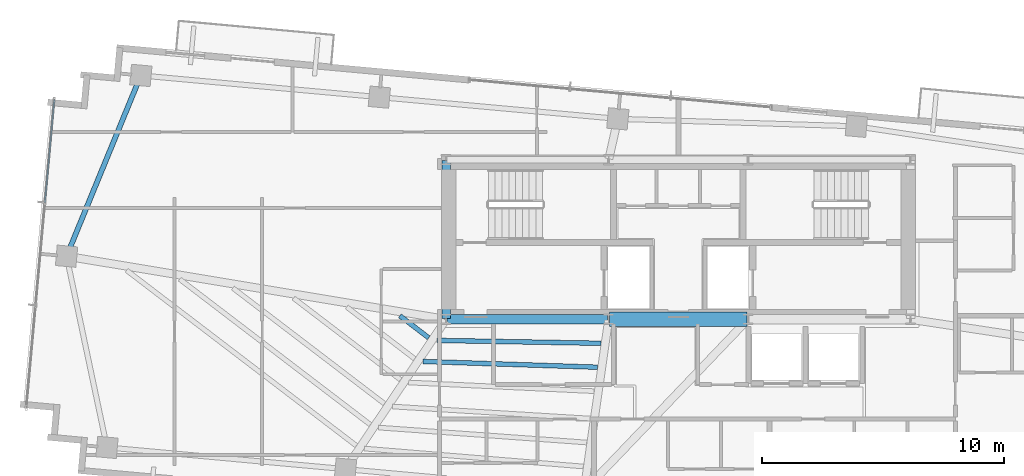
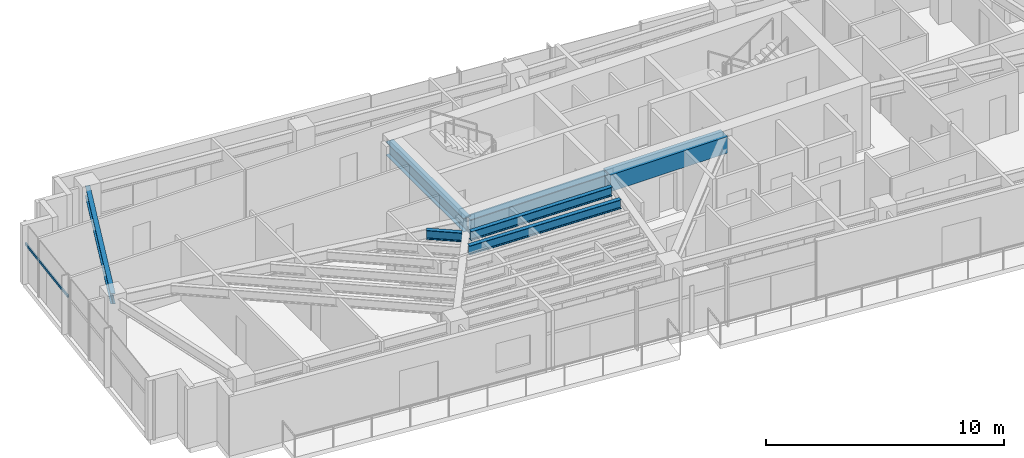
# One storey, part 8 of 22: 7 beams, 1 member, 1 element without a shape of its own.
"""IFC4 building model written with IfcOpenShell, lengths in metres."""

from ifc_helpers import new_model, si_unit, direction, frame, origin, origin_2d, place, context, subcontext, project, spatial, rectangle, hollow_rectangle, i_section, extrude, source, transform, mapped, material, material_profile, profile_set, type_object, type_shapes, element, aggregate, save


model = new_model("IFC4")

# Units and contexts
model_context = context("Model", 3, precision=1e-05, world=origin(), true_north=direction((0.0, 1.0)))
body_context = subcontext(model_context, "Body", "Model", "MODEL_VIEW")
ifc_project = project(units=[si_unit("LENGTHUNIT", "METRE"), si_unit("AREAUNIT", "SQUARE_METRE"), si_unit("VOLUMEUNIT", "CUBIC_METRE"), si_unit("PLANEANGLEUNIT", "RADIAN"), si_unit("MASSUNIT", "GRAM", prefix="KILO")], contexts=[model_context])

# Site, building, storey
site_placement = place(None, origin())
site = spatial("IfcSite", under=ifc_project, at=site_placement, CompositionType="ELEMENT")
building_placement = place(site_placement, origin())
building = spatial("IfcBuilding", under=site, at=building_placement, Name="Astriad Promenade Condominiums", CompositionType="ELEMENT")
storey_placement = place(building_placement, frame((0.0, 0.0, 233.10009765625)))
storey = spatial("IfcBuildingStorey", under=building, at=storey_placement, Name="L67", CompositionType="ELEMENT", Elevation=233.10009765625)

# Beams
ifc_material_1 = material(Name="Steel ASTM A992 Grade 50", Category="steel")
ifc_material_profile_1 = material_profile(ifc_material_1, i_section(OverallWidth=0.3837890625, OverallDepth=0.785888671875, WebThickness=0.019775390625, FlangeThickness=0.033447265625, FilletRadius=0.021484375, at=origin_2d()), Name="W30X211")
ifc_profile_set_1 = profile_set([ifc_material_profile_1], Name="Steel ASTM A992 Grade 50")
beam_type_1 = type_object("IfcBeamType", Name="STEEL FLOOR GIRDER W30X211", PredefinedType="BEAM", material=ifc_profile_set_1)
shared_shape_1 = source(origin(), body_context, "Body", "SweptSolid", [
    extrude(i_section(OverallWidth=0.3837890625, OverallDepth=0.785888671875, WebThickness=0.019775390625, FlangeThickness=0.033447265625, FilletRadius=0.021484375, at=origin_2d()), origin(), (0.0, 0.0, 1.0), 6.64013671875),
])
type_shapes(beam_type_1, [shared_shape_1])
beam_1_placement = place(storey_placement, frame((26.43994140625, 17.39990234375, 2.64697265625), z_axis=(1.0, 0.0, 0.0), x_axis=(0.0, 1.0, 0.0)))
element("IfcBeam", 1, at=beam_1_placement, inside=storey, type_object=beam_type_1, Name="Core Ring Beam CG-S1-L67", PredefinedType="BEAM", context=body_context, shape_type="MappedRepresentation", body=[
    mapped(shared_shape_1, transform((0.0, 0.0, 0.0), scale=1.0)),
])
ifc_material_profile_2 = material_profile(ifc_material_1, i_section(OverallWidth=0.35791015625, OverallDepth=0.706298828125, WebThickness=0.018310546875, FlangeThickness=0.0302734375, FilletRadius=0.020263671875, at=origin_2d()), Name="W27X178")
ifc_profile_set_2 = profile_set([ifc_material_profile_2], Name="Steel ASTM A992 Grade 50")
beam_type_2 = type_object("IfcBeamType", Name="STEEL FLOOR GIRDER W27X178", PredefinedType="BEAM", material=ifc_profile_set_2)
shared_shape_2 = source(origin(), body_context, "Body", "SweptSolid", [
    extrude(i_section(OverallWidth=0.35791015625, OverallDepth=0.706298828125, WebThickness=0.018310546875, FlangeThickness=0.0302734375, FilletRadius=0.020263671875, at=origin_2d()), origin(), (0.0, 0.0, 1.0), 6.52001953125),
])
type_shapes(beam_type_2, [shared_shape_2])
beam_2_placement = place(storey_placement, frame((26.39990234375, 17.43994140625, 2.686767578125), z_axis=(0.0, 1.0, 0.0), x_axis=(-1.0, 0.0, 0.0)))
element("IfcBeam", 2, at=beam_2_placement, inside=storey, type_object=beam_type_2, Name="Core Ring Beam CG-W1-L67", PredefinedType="BEAM", context=body_context, shape_type="MappedRepresentation", body=[
    mapped(shared_shape_2, transform((0.0, 0.0, 0.0), scale=1.0)),
])
ifc_material_2 = material(Name="Concrete C60/75", Category="concrete")
ifc_material_profile_3 = material_profile(ifc_material_2, rectangle(XDim=0.60009765625, YDim=0.85009765625, at=origin_2d()), Name="RC-BM-600X850")
ifc_profile_set_3 = profile_set([ifc_material_profile_3], Name="Concrete C60/75")
beam_type_3 = type_object("IfcBeamType", Name="CONCRETE CORE COUPLING LINTEL 600X850", PredefinedType="LINTEL", material=ifc_profile_set_3)
shared_shape_3 = source(origin(), body_context, "Body", "SweptSolid", [
    extrude(rectangle(XDim=0.60009765625, YDim=0.85009765625, at=origin_2d()), origin(), (0.0, 0.0, 1.0), 5.68017578125),
])
type_shapes(beam_type_3, [shared_shape_3])
beam_3_placement = place(storey_placement, frame((33.159912109375, 17.39990234375, 2.614990234375), z_axis=(1.0, 0.0, 0.0), x_axis=(0.0, 1.0, 0.0)))
element("IfcBeam", 3, at=beam_3_placement, inside=storey, type_object=beam_type_3, Name="Core Ring Beam CG-S2-L67", PredefinedType="LINTEL", context=body_context, shape_type="MappedRepresentation", body=[
    mapped(shared_shape_3, transform((0.0, 0.0, 0.0), scale=1.0)),
])
ifc_material_profile_4 = material_profile(ifc_material_1, i_section(OverallWidth=0.210693359375, OverallDepth=0.53955078125, WebThickness=0.01171875, FlangeThickness=0.018798828125, FilletRadius=0.0166015625, at=origin_2d()), Name="W21X73")
ifc_profile_set_4 = profile_set([ifc_material_profile_4], Name="Steel ASTM A992 Grade 50")
beam_type_4 = type_object("IfcBeamType", Name="STEEL SPANDREL BEAM W21X73", PredefinedType="SPANDREL", material=ifc_profile_set_4)
shared_shape_4 = source(origin(), body_context, "Body", "SweptSolid", [
    extrude(i_section(OverallWidth=0.210693359375, OverallDepth=0.53955078125, WebThickness=0.01171875, FlangeThickness=0.018798828125, FilletRadius=0.0166015625, at=origin_2d()), origin(), (0.0, 0.0, 1.0), 7.998779296875),
])
type_shapes(beam_type_4, [shared_shape_4])
beam_4_placement = place(storey_placement, frame((13.76611328125, 27.44580078125, 2.77001953125), z_axis=(-0.38000513148, -0.924984378273, 0.0), x_axis=(0.924984378273, -0.38000513148, 0.0)))
element("IfcBeam", 4, at=beam_4_placement, inside=storey, type_object=beam_type_4, Name="Perimeter Spandrel Beam SP-W2-L67", PredefinedType="SPANDREL", context=body_context, shape_type="MappedRepresentation", body=[
    mapped(shared_shape_4, transform((0.0, 0.0, 0.0), scale=1.0)),
])
ifc_material_profile_5 = material_profile(ifc_material_1, i_section(OverallWidth=0.19287109375, OverallDepth=0.466064453125, WebThickness=0.011474609375, FlangeThickness=0.01904296875, FilletRadius=0.01513671875, at=origin_2d()), Name="W18X65")
ifc_profile_set_5 = profile_set([ifc_material_profile_5], Name="Steel ASTM A992 Grade 50")
beam_type_5 = type_object("IfcBeamType", Name="STEEL FLOOR JOIST W18X65", PredefinedType="JOIST", material=ifc_profile_set_5)
shared_shape_5 = source(origin(), body_context, "Body", "SweptSolid", [
    extrude(i_section(OverallWidth=0.19287109375, OverallDepth=0.466064453125, WebThickness=0.011474609375, FlangeThickness=0.01904296875, FilletRadius=0.01513671875, at=origin_2d()), origin(), (0.0, 0.0, 1.0), 1.497314453125),
])
beam_5_placement = place(storey_placement, frame((24.489501953125, 17.547119140625, 2.806884765625), z_axis=(0.79482500583, -0.606838701887, 0.0), x_axis=(0.606838701887, 0.79482500583, 0.0)))
element("IfcBeam", 5, at=beam_5_placement, inside=storey, type_object=beam_type_5, Name="Secondary Composite Floor Joist JW1-6-L67", PredefinedType="JOIST", context=body_context, shape_type="MappedRepresentation", body=[
    mapped(shared_shape_5, transform((0.0, 0.0, 0.0), scale=1.0)),
])
shared_shape_6 = source(origin(), body_context, "Body", "SweptSolid", [
    extrude(i_section(OverallWidth=0.19287109375, OverallDepth=0.466064453125, WebThickness=0.011474609375, FlangeThickness=0.01904296875, FilletRadius=0.01513671875, at=origin_2d()), origin(), (0.0, 0.0, 1.0), 7.226318359375),
])
beam_6_placement = place(storey_placement, frame((25.43798828125, 15.659912109375, 2.806884765625), z_axis=(0.999453981353, -0.033041476313, 0.0), x_axis=(0.033041476313, 0.999453981353, 0.0)))
element("IfcBeam", 6, at=beam_6_placement, inside=storey, type_object=beam_type_5, Name="Secondary Composite Floor Joist JCW-5-L67", PredefinedType="JOIST", context=body_context, shape_type="MappedRepresentation", body=[
    mapped(shared_shape_6, transform((0.0, 0.0, 0.0), scale=1.0)),
])
shared_shape_7 = source(origin(), body_context, "Body", "SweptSolid", [
    extrude(i_section(OverallWidth=0.19287109375, OverallDepth=0.466064453125, WebThickness=0.011474609375, FlangeThickness=0.01904296875, FilletRadius=0.01513671875, at=origin_2d()), origin(), (0.0, 0.0, 1.0), 6.781494140625),
])
type_shapes(beam_type_5, [shared_shape_5, shared_shape_6, shared_shape_7])
beam_7_placement = place(storey_placement, frame((26.022216796875, 16.52978515625, 2.806884765625), z_axis=(0.999845665325, -0.017568310398, 0.0), x_axis=(0.017568310398, 0.999845665325, 0.0)))
element("IfcBeam", 7, at=beam_7_placement, inside=storey, type_object=beam_type_5, Name="Secondary Composite Floor Joist JCW-6-L67", PredefinedType="JOIST", context=body_context, shape_type="MappedRepresentation", body=[
    mapped(shared_shape_7, transform((0.0, 0.0, 0.0), scale=1.0)),
])

# Curtain wall, member
ifc_material_3 = material(Name="Anodised aluminium Black Dark Glass Unitised", Category="aluminium")
curtain_wall_type = type_object("IfcCurtainWallType", Name="CW-B5-DARK", PredefinedType="USERDEFINED", material=ifc_material_3)
curtain_wall_placement = place(storey_placement, origin())
curtain_wall = element("IfcCurtainWall", 8, at=curtain_wall_placement, inside=storey, type_object=curtain_wall_type, Name="CW-L67-W", ObjectType="UNITISED_CURTAIN_WALL", PredefinedType="USERDEFINED")
ifc_material_4 = material(Name="Anodised aluminium 6063-T6 Black", Category="aluminium")
ifc_material_profile_6 = material_profile(ifc_material_4, hollow_rectangle(XDim=0.06494140625, YDim=0.1298828125, WallThickness=0.00390625, at=origin_2d()), Name="ALU-TRN-65X130")
ifc_profile_set_6 = profile_set([ifc_material_profile_6], Name="Anodised aluminium 6063-T6 Black")
member_type = type_object("IfcMemberType", Name="TRN-ALU-TRN-65X130", PredefinedType="USERDEFINED", material=ifc_profile_set_6)
shared_shape_8 = source(origin(), body_context, "Body", "SweptSolid", [
    extrude(hollow_rectangle(XDim=0.06494140625, YDim=0.1298828125, WallThickness=0.00390625, at=origin_2d()), origin(), (0.0, 0.0, 1.0), 4.2666015625),
])
type_shapes(member_type, [shared_shape_8])
member_placement = place(storey_placement, frame((9.819091796875, 22.233642578125, 1.884765625), z_axis=(0.090638931954, 0.99588382054, 0.0), x_axis=(-0.99588382054, 0.090638931954, 0.0)))
member = element("IfcMember", 9, at=member_placement, type_object=member_type, Name="CW-L67-W-TRN-02-0", ObjectType="TRANSOM", PredefinedType="USERDEFINED", context=body_context, shape_type="MappedRepresentation", body=[
    mapped(shared_shape_8, transform((0.0, 0.0, 0.0), scale=1.0)),
])
aggregate(curtain_wall, [member])

save(model, "model.ifc")
